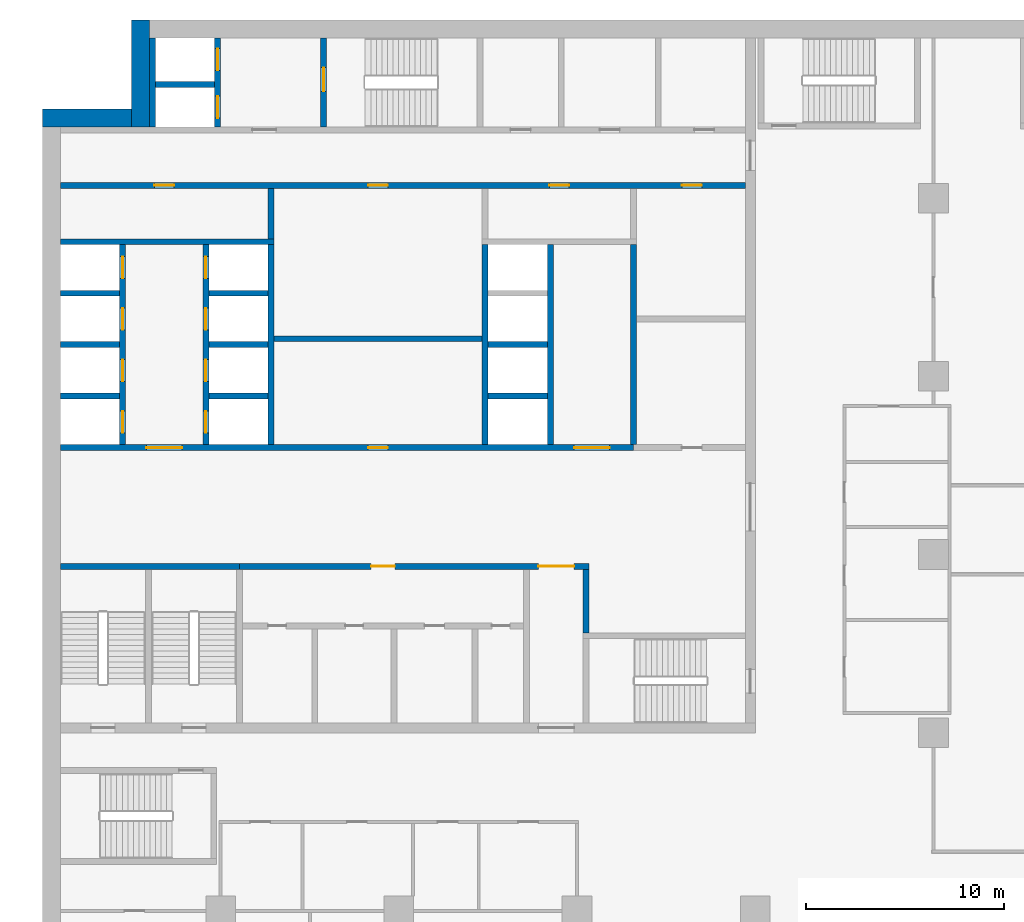
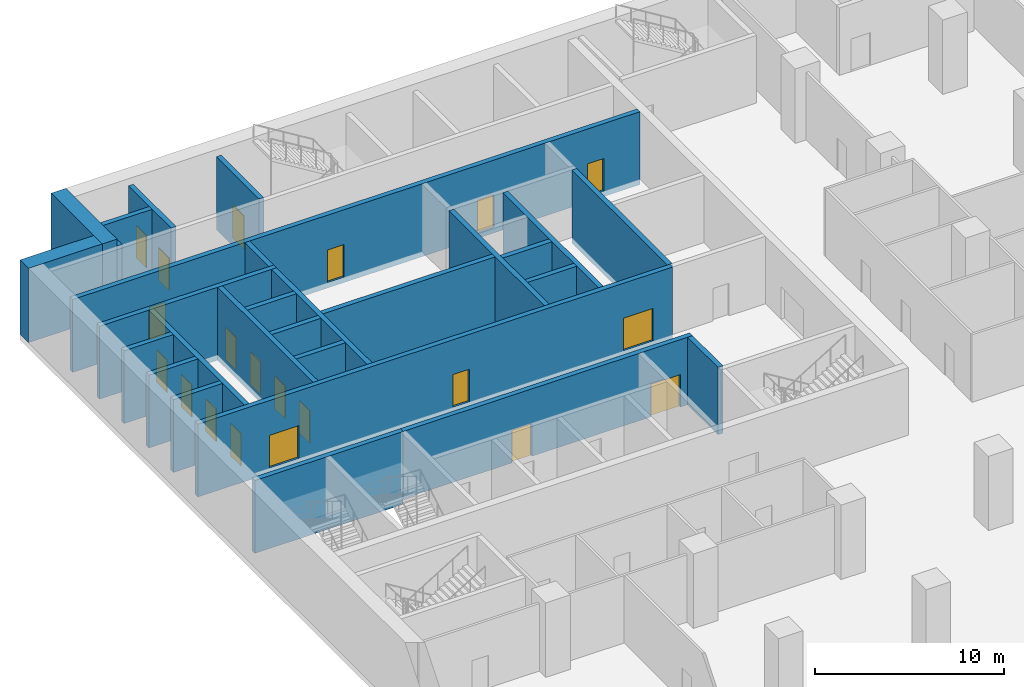
# One storey, part 16 of 32: 28 walls, 20 doors, 20 openings.
"""IFC4 building model written with IfcOpenShell, lengths in metres."""

from ifc_helpers import new_model, si_unit, direction, frame, frame_2d, origin, place, context, subcontext, project, spatial, rectangle, extrude, material, layer, layer_set, type_object, element, fill, save


model = new_model("IFC4")

# Units and contexts
model_context = context("Model", 3, precision=1e-05, world=origin(), true_north=direction((0.0, 1.0)))
body_context = subcontext(model_context, "Body", "Model", "MODEL_VIEW")
ifc_project = project(units=[si_unit("LENGTHUNIT", "METRE"), si_unit("AREAUNIT", "SQUARE_METRE"), si_unit("VOLUMEUNIT", "CUBIC_METRE"), si_unit("PLANEANGLEUNIT", "RADIAN"), si_unit("MASSUNIT", "GRAM", prefix="KILO")], contexts=[model_context])

# Site, building, storey
site_placement = place(None, origin())
site = spatial("IfcSite", under=ifc_project, at=site_placement, CompositionType="ELEMENT")
building_placement = place(site_placement, origin())
building = spatial("IfcBuilding", under=site, at=building_placement, Name="Hunhe Ridgeline Campus", CompositionType="ELEMENT")
storey_placement = place(building_placement, frame((0.0, 0.0, 26.39990234375)))
storey = spatial("IfcBuildingStorey", under=building, at=storey_placement, Name="L05", CompositionType="ELEMENT", Elevation=26.39990234375)

# Wall, openings, doors
ifc_material_1 = material(Name="Masonry concrete blockwork", Category="masonry")
ifc_layer_1 = layer(ifc_material_1, 0.300048828125)
ifc_layer_set_1 = layer_set([ifc_layer_1], Name="Core room partition 300 concrete block")
wall_type_1 = type_object("IfcWallType", Name="Core room partition 300 concrete block", PredefinedType="PARTITIONING", material=ifc_layer_set_1)
wall_1_placement = place(storey_placement, frame((9.949951171875, 71.39990234375, 0.0), z_axis=(0.0, 0.0, 1.0), x_axis=(1.0, 0.0, 0.0)))
wall_1 = element("IfcWall", 1, at=wall_1_placement, inside=storey, type_object=wall_type_1, Name="L05 core partition 13", PredefinedType="PARTITIONING", context=body_context, shape_type="SweptSolid", body=[
    extrude(rectangle(XDim=17.650146484375, YDim=0.300048828125, at=frame_2d((8.8251953125, 0.0))), origin(), (0.0, 0.0, 1.0), 4.35009765625),
])
opening_1_placement = place(wall_1_placement, frame((15.10009765625, 0.0, 0.0)))
opening_1 = element("IfcOpeningElement", 2, at=opening_1_placement, cuts=wall_1, Name="Opening CD7", PredefinedType="OPENING", context=body_context, shape_type="SweptSolid", body=[
    extrude(rectangle(XDim=1.800048828125, YDim=2.10009765625, at=frame_2d((0.89990234375, 1.050048828125))), frame((0.0, 0.14990234375, 0.0), z_axis=(0.0, -1.0, 0.0), x_axis=(1.0, 0.0, 0.0)), (0.0, 0.0, 1.0), 0.300048828125),
])
opening_2_placement = place(wall_1_placement, frame((6.64990234375, 0.0, 0.0)))
opening_2 = element("IfcOpeningElement", 3, at=opening_2_placement, cuts=wall_1, Name="Opening CD37", PredefinedType="OPENING", context=body_context, shape_type="SweptSolid", body=[
    extrude(rectangle(XDim=1.199951171875, YDim=2.10009765625, at=frame_2d((0.60009765625, 1.050048828125))), frame((0.0, 0.14990234375, 0.0), z_axis=(0.0, -1.0, 0.0), x_axis=(1.0, 0.0, 0.0)), (0.0, 0.0, 1.0), 0.300048828125),
])
ifc_material_2 = material(Name="Anodised aluminium and glass", Category="aluminium")
door_type_1 = type_object("IfcDoorType", Name="Glazed double door 1800x2100", OperationType="DOUBLE_DOOR_SINGLE_SWING", PredefinedType="DOOR", material=ifc_material_2)
door_1_placement = place(opening_1_placement, origin())
door_1 = element("IfcDoor", 4, at=door_1_placement, inside=storey, type_object=door_type_1, Name="L05 door VEST-HALL", OperationType="DOUBLE_DOOR_SINGLE_SWING", OverallHeight=2.10009765625, OverallWidth=1.800048828125, PredefinedType="DOOR", context=body_context, shape_type="SweptSolid", body=[
    extrude(rectangle(XDim=1.800048828125, YDim=2.10009765625, at=frame_2d((0.89990234375, 1.050048828125))), frame((0.0, 0.02490234375, 0.0), z_axis=(0.0, -1.0, 0.0), x_axis=(1.0, 0.0, 0.0)), (0.0, 0.0, 1.0), 0.050048828125),
])
fill(opening_1, door_1)
ifc_material_3 = material(Name="Solid core timber door leaf", Category="wood")
door_type_2 = type_object("IfcDoorType", Name="Timber door 1200x2100", OperationType="SINGLE_SWING_LEFT", PredefinedType="DOOR", material=ifc_material_3)
door_2_placement = place(opening_2_placement, origin())
door_2 = element("IfcDoor", 5, at=door_2_placement, inside=storey, type_object=door_type_2, Name="L05 door WCL1-HALL", OperationType="SINGLE_SWING_LEFT", OverallHeight=2.10009765625, OverallWidth=1.199951171875, PredefinedType="DOOR", context=body_context, shape_type="SweptSolid", body=[
    extrude(rectangle(XDim=1.199951171875, YDim=2.10009765625, at=frame_2d((0.60009765625, 1.050048828125))), frame((0.0, 0.02490234375, 0.0), z_axis=(0.0, -1.0, 0.0), x_axis=(1.0, 0.0, 0.0)), (0.0, 0.0, 1.0), 0.050048828125),
])
fill(opening_2, door_2)

# Walls
wall_2_placement = place(storey_placement, frame((11.699951171875, 82.89990234375, 0.0), z_axis=(0.0, 0.0, 1.0), x_axis=(1.0, 0.0, 0.0)))
element("IfcWall", 6, at=wall_2_placement, inside=storey, type_object=wall_type_1, Name="L05 core partition 22", PredefinedType="PARTITIONING", context=body_context, shape_type="SweptSolid", body=[
    extrude(rectangle(XDim=10.5, YDim=0.300048828125, at=frame_2d((5.25, 0.0))), origin(), (0.0, 0.0, 1.0), 4.35009765625),
])
wall_3_placement = place(storey_placement, frame((11.550048828125, 87.949951171875, 0.0), z_axis=(0.0, 0.0, 1.0), x_axis=(0.0, 1.0, 0.0)))
element("IfcWall", 7, at=wall_3_placement, inside=storey, type_object=wall_type_1, Name="L05 core partition 45", PredefinedType="PARTITIONING", context=body_context, shape_type="SweptSolid", body=[
    extrude(rectangle(XDim=2.550048828125, YDim=0.300048828125, at=frame_2d((1.27490234375, 0.0))), origin(), (0.0, 0.0, 1.0), 4.35009765625),
])
wall_4_placement = place(storey_placement, frame((27.449951171875, 68.050048828125, 0.0), z_axis=(0.0, 0.0, 1.0), x_axis=(0.0, 1.0, 0.0)))
element("IfcWall", 8, at=wall_4_placement, inside=storey, type_object=wall_type_1, Name="L05 core partition 59", PredefinedType="PARTITIONING", context=body_context, shape_type="SweptSolid", body=[
    extrude(rectangle(XDim=3.199951171875, YDim=0.300048828125, at=frame_2d((1.60009765625, 0.0))), origin(), (0.0, 0.0, 1.0), 4.35009765625),
])

# Wall, openings, doors
ifc_material_4 = material(Name="Concrete C80", Category="concrete")
ifc_layer_2 = layer(ifc_material_4, 0.300048828125)
ifc_layer_set_2 = layer_set([ifc_layer_2], Name="Lobby wall 300 reinforced concrete C80")
wall_type_2 = type_object("IfcWallType", Name="Lobby wall 300 reinforced concrete C80", PredefinedType="SOLIDWALL", material=ifc_layer_set_2)
wall_5_placement = place(storey_placement, frame((0.89990234375, 90.64990234375, -0.349853515625), z_axis=(0.0, 0.0, 1.0), x_axis=(1.0, 0.0, 0.0)))
wall_5 = element("IfcWall", 9, at=wall_5_placement, inside=storey, type_object=wall_type_2, Name="L05 core wall 29", PredefinedType="SOLIDWALL", context=body_context, shape_type="SweptSolid", body=[
    extrude(rectangle(XDim=34.60009765625, YDim=0.300048828125, at=frame_2d((17.300048828125, 0.0))), origin(), (0.0, 0.0, 1.0), 4.699951171875),
])
opening_3_placement = place(wall_5_placement, frame((4.75, 0.0, 0.35009765625)))
opening_3 = element("IfcOpeningElement", 10, at=opening_3_placement, cuts=wall_5, Name="Opening CD26", PredefinedType="OPENING", context=body_context, shape_type="SweptSolid", body=[
    extrude(rectangle(XDim=1.0, YDim=2.10009765625, at=frame_2d((0.5, 1.050048828125))), frame((0.0, 0.14990234375, 0.0), z_axis=(0.0, -1.0, 0.0), x_axis=(1.0, 0.0, 0.0)), (0.0, 0.0, 1.0), 0.300048828125),
])
opening_4_placement = place(wall_5_placement, frame((24.699951171875, 0.0, 0.35009765625)))
opening_4 = element("IfcOpeningElement", 11, at=opening_4_placement, cuts=wall_5, Name="Opening CD27", PredefinedType="OPENING", context=body_context, shape_type="SweptSolid", body=[
    extrude(rectangle(XDim=1.0, YDim=2.10009765625, at=frame_2d((0.5, 1.050048828125))), frame((0.0, 0.14990234375, 0.0), z_axis=(0.0, -1.0, 0.0), x_axis=(1.0, 0.0, 0.0)), (0.0, 0.0, 1.0), 0.300048828125),
])
opening_5_placement = place(wall_5_placement, frame((15.550048828125, 0.0, 0.35009765625)))
opening_5 = element("IfcOpeningElement", 12, at=opening_5_placement, cuts=wall_5, Name="Opening CD29", PredefinedType="OPENING", context=body_context, shape_type="SweptSolid", body=[
    extrude(rectangle(XDim=1.0, YDim=2.10009765625, at=frame_2d((0.5, 1.050048828125))), frame((0.0, 0.14990234375, 0.0), z_axis=(0.0, -1.0, 0.0), x_axis=(1.0, 0.0, 0.0)), (0.0, 0.0, 1.0), 0.300048828125),
])
opening_6_placement = place(wall_5_placement, frame((31.39990234375, 0.0, 0.35009765625)))
opening_6 = element("IfcOpeningElement", 13, at=opening_6_placement, cuts=wall_5, Name="Opening CD33", PredefinedType="OPENING", context=body_context, shape_type="SweptSolid", body=[
    extrude(rectangle(XDim=1.0, YDim=2.10009765625, at=frame_2d((0.5, 1.050048828125))), frame((0.0, 0.14990234375, 0.0), z_axis=(0.0, -1.0, 0.0), x_axis=(1.0, 0.0, 0.0)), (0.0, 0.0, 1.0), 0.300048828125),
])
door_type_3 = type_object("IfcDoorType", Name="Timber door 1000x2100", OperationType="SINGLE_SWING_LEFT", PredefinedType="DOOR", material=ifc_material_3)
door_3_placement = place(opening_3_placement, frame((1.0, 0.0, 0.0), z_axis=(0.0, 0.0, 1.0), x_axis=(-1.0, 0.0, 0.0)))
door_3 = element("IfcDoor", 14, at=door_3_placement, inside=storey, type_object=door_type_3, Name="L05 door NR-0", OperationType="SINGLE_SWING_RIGHT", OverallHeight=2.10009765625, OverallWidth=1.0, PredefinedType="DOOR", context=body_context, shape_type="SweptSolid", body=[
    extrude(rectangle(XDim=1.0, YDim=2.10009765625, at=frame_2d((0.5, 1.050048828125))), frame((0.0, 0.02490234375, 0.0), z_axis=(0.0, -1.0, 0.0), x_axis=(1.0, 0.0, 0.0)), (0.0, 0.0, 1.0), 0.050048828125),
])
fill(opening_3, door_3)
door_4_placement = place(opening_4_placement, frame((1.0, 0.0, 0.0), z_axis=(0.0, 0.0, 1.0), x_axis=(-1.0, 0.0, 0.0)))
door_4 = element("IfcDoor", 15, at=door_4_placement, inside=storey, type_object=door_type_3, Name="L05 door NR-1", OperationType="SINGLE_SWING_LEFT", OverallHeight=2.10009765625, OverallWidth=1.0, PredefinedType="DOOR", context=body_context, shape_type="SweptSolid", body=[
    extrude(rectangle(XDim=1.0, YDim=2.10009765625, at=frame_2d((0.5, 1.050048828125))), frame((0.0, 0.02490234375, 0.0), z_axis=(0.0, -1.0, 0.0), x_axis=(1.0, 0.0, 0.0)), (0.0, 0.0, 1.0), 0.050048828125),
])
fill(opening_4, door_4)
door_5_placement = place(opening_5_placement, frame((1.0, 0.0, 0.0), z_axis=(0.0, 0.0, 1.0), x_axis=(-1.0, 0.0, 0.0)))
door_5 = element("IfcDoor", 16, at=door_5_placement, inside=storey, type_object=door_type_3, Name="L05 door VD-HR1", OperationType="SINGLE_SWING_LEFT", OverallHeight=2.10009765625, OverallWidth=1.0, PredefinedType="DOOR", context=body_context, shape_type="SweptSolid", body=[
    extrude(rectangle(XDim=1.0, YDim=2.10009765625, at=frame_2d((0.5, 1.050048828125))), frame((0.0, 0.02490234375, 0.0), z_axis=(0.0, -1.0, 0.0), x_axis=(1.0, 0.0, 0.0)), (0.0, 0.0, 1.0), 0.050048828125),
])
fill(opening_5, door_5)
door_6_placement = place(opening_6_placement, frame((1.0, 0.0, 0.0), z_axis=(0.0, 0.0, 1.0), x_axis=(-1.0, 0.0, 0.0)))
door_6 = element("IfcDoor", 17, at=door_6_placement, inside=storey, type_object=door_type_3, Name="L05 door ES1", OperationType="SINGLE_SWING_RIGHT", OverallHeight=2.10009765625, OverallWidth=1.0, PredefinedType="DOOR", context=body_context, shape_type="SweptSolid", body=[
    extrude(rectangle(XDim=1.0, YDim=2.10009765625, at=frame_2d((0.5, 1.050048828125))), frame((0.0, 0.02490234375, 0.0), z_axis=(0.0, -1.0, 0.0), x_axis=(1.0, 0.0, 0.0)), (0.0, 0.0, 1.0), 0.050048828125),
])
fill(opening_6, door_6)

# Wall
wall_6_placement = place(storey_placement, frame((29.85009765625, 77.550048828125, -0.349853515625), z_axis=(0.0, 0.0, 1.0), x_axis=(0.0, 1.0, 0.0)))
element("IfcWall", 18, at=wall_6_placement, inside=storey, type_object=wall_type_2, Name="L05 core wall 60", PredefinedType="SOLIDWALL", context=body_context, shape_type="SweptSolid", body=[
    extrude(rectangle(XDim=10.099853515625, YDim=0.300048828125, at=frame_2d((5.0498046875, 0.0))), origin(), (0.0, 0.0, 1.0), 4.699951171875),
])

# Wall, openings, doors
ifc_layer_3 = layer(ifc_material_4, 0.300048828125)
ifc_layer_set_3 = layer_set([ifc_layer_3], Name="Shaft wall 300 reinforced concrete C80")
wall_type_3 = type_object("IfcWallType", Name="Shaft wall 300 reinforced concrete C80", PredefinedType="SOLIDWALL", material=ifc_layer_set_3)
wall_7_placement = place(storey_placement, frame((0.89990234375, 77.39990234375, -0.349853515625), z_axis=(0.0, 0.0, 1.0), x_axis=(1.0, 0.0, 0.0)))
wall_7 = element("IfcWall", 19, at=wall_7_placement, inside=storey, type_object=wall_type_3, Name="L05 core wall 14", PredefinedType="SOLIDWALL", context=body_context, shape_type="SweptSolid", body=[
    extrude(rectangle(XDim=28.9501953125, YDim=0.300048828125, at=frame_2d((14.47509765625, 0.0))), origin(), (0.0, 0.0, 1.0), 4.699951171875),
])
opening_7_placement = place(wall_7_placement, frame((4.35009765625, 0.0, 0.35009765625)))
opening_7 = element("IfcOpeningElement", 20, at=opening_7_placement, cuts=wall_7, Name="Opening CD1", PredefinedType="OPENING", context=body_context, shape_type="SweptSolid", body=[
    extrude(rectangle(XDim=1.800048828125, YDim=2.10009765625, at=frame_2d((0.89990234375, 1.050048828125))), frame((0.0, 0.14990234375, 0.0), z_axis=(0.0, -1.0, 0.0), x_axis=(1.0, 0.0, 0.0)), (0.0, 0.0, 1.0), 0.300048828125),
])
opening_8_placement = place(wall_7_placement, frame((25.949951171875, 0.0, 0.35009765625)))
opening_8 = element("IfcOpeningElement", 21, at=opening_8_placement, cuts=wall_7, Name="Opening CD2", PredefinedType="OPENING", context=body_context, shape_type="SweptSolid", body=[
    extrude(rectangle(XDim=1.800048828125, YDim=2.10009765625, at=frame_2d((0.89990234375, 1.050048828125))), frame((0.0, 0.14990234375, 0.0), z_axis=(0.0, -1.0, 0.0), x_axis=(1.0, 0.0, 0.0)), (0.0, 0.0, 1.0), 0.300048828125),
])
opening_9_placement = place(wall_7_placement, frame((15.550048828125, 0.0, 0.35009765625)))
opening_9 = element("IfcOpeningElement", 22, at=opening_9_placement, cuts=wall_7, Name="Opening CD28", PredefinedType="OPENING", context=body_context, shape_type="SweptSolid", body=[
    extrude(rectangle(XDim=1.0, YDim=2.10009765625, at=frame_2d((0.5, 1.050048828125))), frame((0.0, 0.14990234375, 0.0), z_axis=(0.0, -1.0, 0.0), x_axis=(1.0, 0.0, 0.0)), (0.0, 0.0, 1.0), 0.300048828125),
])
ifc_material_5 = material(Name="Hollow metal fire door leaf")
door_type_4 = type_object("IfcDoorType", Name="Lobby door 1800x2100 FD60", OperationType="SINGLE_SWING_LEFT", PredefinedType="DOOR", material=ifc_material_5)
door_7_placement = place(opening_7_placement, frame((1.800048828125, 0.0, 0.0), z_axis=(0.0, 0.0, 1.0), x_axis=(-1.0, 0.0, 0.0)))
door_7 = element("IfcDoor", 23, at=door_7_placement, inside=storey, type_object=door_type_4, Name="L05 door LOB-LR", OperationType="SINGLE_SWING_RIGHT", OverallHeight=2.10009765625, OverallWidth=1.800048828125, PredefinedType="DOOR", context=body_context, shape_type="SweptSolid", body=[
    extrude(rectangle(XDim=1.800048828125, YDim=2.10009765625, at=frame_2d((0.89990234375, 1.050048828125))), frame((0.0, 0.02490234375, 0.0), z_axis=(0.0, -1.0, 0.0), x_axis=(1.0, 0.0, 0.0)), (0.0, 0.0, 1.0), 0.050048828125),
])
fill(opening_7, door_7)
door_8_placement = place(opening_8_placement, frame((1.800048828125, 0.0, 0.0), z_axis=(0.0, 0.0, 1.0), x_axis=(-1.0, 0.0, 0.0)))
door_8 = element("IfcDoor", 24, at=door_8_placement, inside=storey, type_object=door_type_4, Name="L05 door LOB-SH", OperationType="SINGLE_SWING_LEFT", OverallHeight=2.10009765625, OverallWidth=1.800048828125, PredefinedType="DOOR", context=body_context, shape_type="SweptSolid", body=[
    extrude(rectangle(XDim=1.800048828125, YDim=2.10009765625, at=frame_2d((0.89990234375, 1.050048828125))), frame((0.0, 0.02490234375, 0.0), z_axis=(0.0, -1.0, 0.0), x_axis=(1.0, 0.0, 0.0)), (0.0, 0.0, 1.0), 0.050048828125),
])
fill(opening_8, door_8)
door_9_placement = place(opening_9_placement, origin())
door_9 = element("IfcDoor", 25, at=door_9_placement, inside=storey, type_object=door_type_3, Name="L05 door VD-HR0", OperationType="SINGLE_SWING_LEFT", OverallHeight=2.10009765625, OverallWidth=1.0, PredefinedType="DOOR", context=body_context, shape_type="SweptSolid", body=[
    extrude(rectangle(XDim=1.0, YDim=2.10009765625, at=frame_2d((0.5, 1.050048828125))), frame((0.0, 0.02490234375, 0.0), z_axis=(0.0, -1.0, 0.0), x_axis=(1.0, 0.0, 0.0)), (0.0, 0.0, 1.0), 0.050048828125),
])
fill(opening_9, door_9)

# Walls
for number, where, z_axis, x_axis, name in (
    (26, (0.89990234375, 80.0, -0.349853515625), (0.0, 0.0, 1.0), (1.0, 0.0, 0.0), "L05 core wall 16"),
    (27, (8.39990234375, 80.0, -0.349853515625), (0.0, 0.0, 1.0), (1.0, 0.0, 0.0), "L05 core wall 17"),
    (28, (22.5, 80.0, -0.349853515625), (0.0, 0.0, 1.0), (1.0, 0.0, 0.0), "L05 core wall 18"),
    (29, (0.89990234375, 82.60009765625, -0.349853515625), (0.0, 0.0, 1.0), (1.0, 0.0, 0.0), "L05 core wall 19"),
    (30, (8.39990234375, 82.60009765625, -0.349853515625), (0.0, 0.0, 1.0), (1.0, 0.0, 0.0), "L05 core wall 20"),
    (31, (22.5, 82.60009765625, -0.349853515625), (0.0, 0.0, 1.0), (1.0, 0.0, 0.0), "L05 core wall 21"),
    (32, (0.89990234375, 85.199951171875, -0.349853515625), (0.0, 0.0, 1.0), (1.0, 0.0, 0.0), "L05 core wall 24"),
    (33, (8.39990234375, 85.199951171875, -0.349853515625), (0.0, 0.0, 1.0), (1.0, 0.0, 0.0), "L05 core wall 25"),
):
    element("IfcWall", number, at=place(storey_placement, frame(where, z_axis=z_axis, x_axis=x_axis)), inside=storey, type_object=wall_type_3, Name=name, PredefinedType="SOLIDWALL", context=body_context, shape_type="SweptSolid", body=[
        extrude(rectangle(XDim=3.0, YDim=0.300048828125, at=frame_2d((1.5, 0.0))), origin(), (0.0, 0.0, 1.0), 4.699951171875),
    ])
wall_8_placement = place(storey_placement, frame((0.89990234375, 87.800048828125, -0.349853515625), z_axis=(0.0, 0.0, 1.0), x_axis=(1.0, 0.0, 0.0)))
element("IfcWall", 34, at=wall_8_placement, inside=storey, type_object=wall_type_3, Name="L05 core wall 27", PredefinedType="SOLIDWALL", context=body_context, shape_type="SweptSolid", body=[
    extrude(rectangle(XDim=10.800048828125, YDim=0.300048828125, at=frame_2d((5.39990234375, 0.0))), origin(), (0.0, 0.0, 1.0), 4.699951171875),
])
wall_9_placement = place(storey_placement, frame((5.699951171875, 95.75, -0.349853515625), z_axis=(0.0, 0.0, 1.0), x_axis=(1.0, 0.0, 0.0)))
element("IfcWall", 35, at=wall_9_placement, inside=storey, type_object=wall_type_3, Name="L05 core wall 35", PredefinedType="SOLIDWALL", context=body_context, shape_type="SweptSolid", body=[
    extrude(rectangle(XDim=3.0, YDim=0.300048828125, at=frame_2d((1.5, 0.0))), origin(), (0.0, 0.0, 1.0), 4.699951171875),
])

# Wall, openings, doors
wall_10_placement = place(storey_placement, frame((4.050048828125, 77.550048828125, -0.349853515625), z_axis=(0.0, 0.0, 1.0), x_axis=(0.0, 1.0, 0.0)))
wall_10 = element("IfcWall", 36, at=wall_10_placement, inside=storey, type_object=wall_type_3, Name="L05 core wall 36", PredefinedType="SOLIDWALL", context=body_context, shape_type="SweptSolid", body=[
    extrude(rectangle(XDim=10.099853515625, YDim=0.300048828125, at=frame_2d((5.0498046875, 0.0))), origin(), (0.0, 0.0, 1.0), 4.699951171875),
])
opening_10_placement = place(wall_10_placement, frame((0.60009765625, 0.0, 0.35009765625)))
opening_10 = element("IfcOpeningElement", 37, at=opening_10_placement, cuts=wall_10, Name="Opening LD-LR1", PredefinedType="OPENING", context=body_context, shape_type="SweptSolid", body=[
    extrude(rectangle(XDim=1.10009765625, YDim=2.10009765625, at=frame_2d((0.550048828125, 1.050048828125))), frame((0.0, 0.14990234375, 0.0), z_axis=(0.0, -1.0, 0.0), x_axis=(1.0, 0.0, 0.0)), (0.0, 0.0, 1.0), 0.300048828125),
])
opening_11_placement = place(wall_10_placement, frame((3.199951171875, 0.0, 0.35009765625)))
opening_11 = element("IfcOpeningElement", 38, at=opening_11_placement, cuts=wall_10, Name="Opening LD-LR2", PredefinedType="OPENING", context=body_context, shape_type="SweptSolid", body=[
    extrude(rectangle(XDim=1.10009765625, YDim=2.10009765625, at=frame_2d((0.550048828125, 1.050048828125))), frame((0.0, 0.14990234375, 0.0), z_axis=(0.0, -1.0, 0.0), x_axis=(1.0, 0.0, 0.0)), (0.0, 0.0, 1.0), 0.300048828125),
])
opening_12_placement = place(wall_10_placement, frame((5.800048828125, 0.0, 0.35009765625)))
opening_12 = element("IfcOpeningElement", 39, at=opening_12_placement, cuts=wall_10, Name="Opening LD-LR3", PredefinedType="OPENING", context=body_context, shape_type="SweptSolid", body=[
    extrude(rectangle(XDim=1.10009765625, YDim=2.10009765625, at=frame_2d((0.550048828125, 1.050048828125))), frame((0.0, 0.14990234375, 0.0), z_axis=(0.0, -1.0, 0.0), x_axis=(1.0, 0.0, 0.0)), (0.0, 0.0, 1.0), 0.300048828125),
])
opening_13_placement = place(wall_10_placement, frame((8.39990234375, 0.0, 0.35009765625)))
opening_13 = element("IfcOpeningElement", 40, at=opening_13_placement, cuts=wall_10, Name="Opening LD-LR4", PredefinedType="OPENING", context=body_context, shape_type="SweptSolid", body=[
    extrude(rectangle(XDim=1.10009765625, YDim=2.10009765625, at=frame_2d((0.550048828125, 1.050048828125))), frame((0.0, 0.14990234375, 0.0), z_axis=(0.0, -1.0, 0.0), x_axis=(1.0, 0.0, 0.0)), (0.0, 0.0, 1.0), 0.300048828125),
])
ifc_material_6 = material(Name="Stainless steel sliding leaves", Category="steel")
door_type_5 = type_object("IfcDoorType", Name="Landing door 1100x2100 FD120", OperationType="SLIDING_TO_LEFT", PredefinedType="DOOR", material=ifc_material_6)
door_10_placement = place(opening_10_placement, origin())
door_10 = element("IfcDoor", 41, at=door_10_placement, inside=storey, type_object=door_type_5, Name="L05 landing door LR1", OperationType="SLIDING_TO_RIGHT", OverallHeight=2.10009765625, OverallWidth=1.10009765625, PredefinedType="DOOR", context=body_context, shape_type="SweptSolid", body=[
    extrude(rectangle(XDim=1.10009765625, YDim=2.10009765625, at=frame_2d((0.550048828125, 1.050048828125))), frame((0.0, 0.02490234375, 0.0), z_axis=(0.0, -1.0, 0.0), x_axis=(1.0, 0.0, 0.0)), (0.0, 0.0, 1.0), 0.050048828125),
])
fill(opening_10, door_10)
door_11_placement = place(opening_11_placement, origin())
door_11 = element("IfcDoor", 42, at=door_11_placement, inside=storey, type_object=door_type_5, Name="L05 landing door LR2", OperationType="SLIDING_TO_LEFT", OverallHeight=2.10009765625, OverallWidth=1.10009765625, PredefinedType="DOOR", context=body_context, shape_type="SweptSolid", body=[
    extrude(rectangle(XDim=1.10009765625, YDim=2.10009765625, at=frame_2d((0.550048828125, 1.050048828125))), frame((0.0, 0.02490234375, 0.0), z_axis=(0.0, -1.0, 0.0), x_axis=(1.0, 0.0, 0.0)), (0.0, 0.0, 1.0), 0.050048828125),
])
fill(opening_11, door_11)
door_12_placement = place(opening_12_placement, origin())
door_12 = element("IfcDoor", 43, at=door_12_placement, inside=storey, type_object=door_type_5, Name="L05 landing door LR3", OperationType="SLIDING_TO_RIGHT", OverallHeight=2.10009765625, OverallWidth=1.10009765625, PredefinedType="DOOR", context=body_context, shape_type="SweptSolid", body=[
    extrude(rectangle(XDim=1.10009765625, YDim=2.10009765625, at=frame_2d((0.550048828125, 1.050048828125))), frame((0.0, 0.02490234375, 0.0), z_axis=(0.0, -1.0, 0.0), x_axis=(1.0, 0.0, 0.0)), (0.0, 0.0, 1.0), 0.050048828125),
])
fill(opening_12, door_12)
door_13_placement = place(opening_13_placement, origin())
door_13 = element("IfcDoor", 44, at=door_13_placement, inside=storey, type_object=door_type_5, Name="L05 landing door LR4", OperationType="SLIDING_TO_LEFT", OverallHeight=2.10009765625, OverallWidth=1.10009765625, PredefinedType="DOOR", context=body_context, shape_type="SweptSolid", body=[
    extrude(rectangle(XDim=1.10009765625, YDim=2.10009765625, at=frame_2d((0.550048828125, 1.050048828125))), frame((0.0, 0.02490234375, 0.0), z_axis=(0.0, -1.0, 0.0), x_axis=(1.0, 0.0, 0.0)), (0.0, 0.0, 1.0), 0.050048828125),
])
fill(opening_13, door_13)

# Wall
wall_11_placement = place(storey_placement, frame((5.550048828125, 93.60009765625, -0.349853515625), z_axis=(0.0, 0.0, 1.0), x_axis=(0.0, 1.0, 0.0)))
element("IfcWall", 45, at=wall_11_placement, inside=storey, type_object=wall_type_3, Name="L05 core wall 38", PredefinedType="SOLIDWALL", context=body_context, shape_type="SweptSolid", body=[
    extrude(rectangle(XDim=4.5, YDim=0.300048828125, at=frame_2d((2.25, 0.0))), origin(), (0.0, 0.0, 1.0), 4.699951171875),
])

# Wall, openings, doors
wall_12_placement = place(storey_placement, frame((8.25, 77.550048828125, -0.349853515625), z_axis=(0.0, 0.0, 1.0), x_axis=(0.0, 1.0, 0.0)))
wall_12 = element("IfcWall", 46, at=wall_12_placement, inside=storey, type_object=wall_type_3, Name="L05 core wall 39", PredefinedType="SOLIDWALL", context=body_context, shape_type="SweptSolid", body=[
    extrude(rectangle(XDim=10.099853515625, YDim=0.300048828125, at=frame_2d((5.0498046875, 0.0))), origin(), (0.0, 0.0, 1.0), 4.699951171875),
])
opening_14_placement = place(wall_12_placement, frame((0.60009765625, 0.0, 0.35009765625)))
opening_14 = element("IfcOpeningElement", 47, at=opening_14_placement, cuts=wall_12, Name="Opening LD-LR5", PredefinedType="OPENING", context=body_context, shape_type="SweptSolid", body=[
    extrude(rectangle(XDim=1.10009765625, YDim=2.10009765625, at=frame_2d((0.550048828125, 1.050048828125))), frame((0.0, 0.14990234375, 0.0), z_axis=(0.0, -1.0, 0.0), x_axis=(1.0, 0.0, 0.0)), (0.0, 0.0, 1.0), 0.300048828125),
])
opening_15_placement = place(wall_12_placement, frame((3.199951171875, 0.0, 0.35009765625)))
opening_15 = element("IfcOpeningElement", 48, at=opening_15_placement, cuts=wall_12, Name="Opening LD-LR6", PredefinedType="OPENING", context=body_context, shape_type="SweptSolid", body=[
    extrude(rectangle(XDim=1.10009765625, YDim=2.10009765625, at=frame_2d((0.550048828125, 1.050048828125))), frame((0.0, 0.14990234375, 0.0), z_axis=(0.0, -1.0, 0.0), x_axis=(1.0, 0.0, 0.0)), (0.0, 0.0, 1.0), 0.300048828125),
])
opening_16_placement = place(wall_12_placement, frame((5.800048828125, 0.0, 0.35009765625)))
opening_16 = element("IfcOpeningElement", 49, at=opening_16_placement, cuts=wall_12, Name="Opening LD-LR7", PredefinedType="OPENING", context=body_context, shape_type="SweptSolid", body=[
    extrude(rectangle(XDim=1.10009765625, YDim=2.10009765625, at=frame_2d((0.550048828125, 1.050048828125))), frame((0.0, 0.14990234375, 0.0), z_axis=(0.0, -1.0, 0.0), x_axis=(1.0, 0.0, 0.0)), (0.0, 0.0, 1.0), 0.300048828125),
])
opening_17_placement = place(wall_12_placement, frame((8.39990234375, 0.0, 0.35009765625)))
opening_17 = element("IfcOpeningElement", 50, at=opening_17_placement, cuts=wall_12, Name="Opening LD-LR8", PredefinedType="OPENING", context=body_context, shape_type="SweptSolid", body=[
    extrude(rectangle(XDim=1.10009765625, YDim=2.10009765625, at=frame_2d((0.550048828125, 1.050048828125))), frame((0.0, 0.14990234375, 0.0), z_axis=(0.0, -1.0, 0.0), x_axis=(1.0, 0.0, 0.0)), (0.0, 0.0, 1.0), 0.300048828125),
])
door_14_placement = place(opening_14_placement, origin())
door_14 = element("IfcDoor", 51, at=door_14_placement, inside=storey, type_object=door_type_5, Name="L05 landing door LR5", OperationType="SLIDING_TO_RIGHT", OverallHeight=2.10009765625, OverallWidth=1.10009765625, PredefinedType="DOOR", context=body_context, shape_type="SweptSolid", body=[
    extrude(rectangle(XDim=1.10009765625, YDim=2.10009765625, at=frame_2d((0.550048828125, 1.050048828125))), frame((0.0, 0.02490234375, 0.0), z_axis=(0.0, -1.0, 0.0), x_axis=(1.0, 0.0, 0.0)), (0.0, 0.0, 1.0), 0.050048828125),
])
fill(opening_14, door_14)
door_15_placement = place(opening_15_placement, origin())
door_15 = element("IfcDoor", 52, at=door_15_placement, inside=storey, type_object=door_type_5, Name="L05 landing door LR6", OperationType="SLIDING_TO_LEFT", OverallHeight=2.10009765625, OverallWidth=1.10009765625, PredefinedType="DOOR", context=body_context, shape_type="SweptSolid", body=[
    extrude(rectangle(XDim=1.10009765625, YDim=2.10009765625, at=frame_2d((0.550048828125, 1.050048828125))), frame((0.0, 0.02490234375, 0.0), z_axis=(0.0, -1.0, 0.0), x_axis=(1.0, 0.0, 0.0)), (0.0, 0.0, 1.0), 0.050048828125),
])
fill(opening_15, door_15)
door_16_placement = place(opening_16_placement, origin())
door_16 = element("IfcDoor", 53, at=door_16_placement, inside=storey, type_object=door_type_5, Name="L05 landing door LR7", OperationType="SLIDING_TO_RIGHT", OverallHeight=2.10009765625, OverallWidth=1.10009765625, PredefinedType="DOOR", context=body_context, shape_type="SweptSolid", body=[
    extrude(rectangle(XDim=1.10009765625, YDim=2.10009765625, at=frame_2d((0.550048828125, 1.050048828125))), frame((0.0, 0.02490234375, 0.0), z_axis=(0.0, -1.0, 0.0), x_axis=(1.0, 0.0, 0.0)), (0.0, 0.0, 1.0), 0.050048828125),
])
fill(opening_16, door_16)
door_17_placement = place(opening_17_placement, origin())
door_17 = element("IfcDoor", 54, at=door_17_placement, inside=storey, type_object=door_type_5, Name="L05 landing door LR8", OperationType="SLIDING_TO_LEFT", OverallHeight=2.10009765625, OverallWidth=1.10009765625, PredefinedType="DOOR", context=body_context, shape_type="SweptSolid", body=[
    extrude(rectangle(XDim=1.10009765625, YDim=2.10009765625, at=frame_2d((0.550048828125, 1.050048828125))), frame((0.0, 0.02490234375, 0.0), z_axis=(0.0, -1.0, 0.0), x_axis=(1.0, 0.0, 0.0)), (0.0, 0.0, 1.0), 0.050048828125),
])
fill(opening_17, door_17)

wall_13_placement = place(storey_placement, frame((8.85009765625, 93.60009765625, -0.349853515625), z_axis=(0.0, 0.0, 1.0), x_axis=(0.0, 1.0, 0.0)))
wall_13 = element("IfcWall", 55, at=wall_13_placement, inside=storey, type_object=wall_type_3, Name="L05 core wall 42", PredefinedType="SOLIDWALL", context=body_context, shape_type="SweptSolid", body=[
    extrude(rectangle(XDim=4.5, YDim=0.300048828125, at=frame_2d((2.25, 0.0))), origin(), (0.0, 0.0, 1.0), 4.699951171875),
])
opening_18_placement = place(wall_13_placement, frame((0.449951171875, 0.0, 0.35009765625)))
opening_18 = element("IfcOpeningElement", 56, at=opening_18_placement, cuts=wall_13, Name="Opening LD-FF1", PredefinedType="OPENING", context=body_context, shape_type="SweptSolid", body=[
    extrude(rectangle(XDim=1.10009765625, YDim=2.10009765625, at=frame_2d((0.550048828125, 1.050048828125))), frame((0.0, 0.14990234375, 0.0), z_axis=(0.0, -1.0, 0.0), x_axis=(1.0, 0.0, 0.0)), (0.0, 0.0, 1.0), 0.300048828125),
])
opening_19_placement = place(wall_13_placement, frame((2.85009765625, 0.0, 0.35009765625)))
opening_19 = element("IfcOpeningElement", 57, at=opening_19_placement, cuts=wall_13, Name="Opening LD-FF2", PredefinedType="OPENING", context=body_context, shape_type="SweptSolid", body=[
    extrude(rectangle(XDim=1.10009765625, YDim=2.10009765625, at=frame_2d((0.550048828125, 1.050048828125))), frame((0.0, 0.14990234375, 0.0), z_axis=(0.0, -1.0, 0.0), x_axis=(1.0, 0.0, 0.0)), (0.0, 0.0, 1.0), 0.300048828125),
])
door_18_placement = place(opening_18_placement, origin())
door_18 = element("IfcDoor", 58, at=door_18_placement, inside=storey, type_object=door_type_5, Name="L05 landing door FF1", OperationType="SLIDING_TO_RIGHT", OverallHeight=2.10009765625, OverallWidth=1.10009765625, PredefinedType="DOOR", context=body_context, shape_type="SweptSolid", body=[
    extrude(rectangle(XDim=1.10009765625, YDim=2.10009765625, at=frame_2d((0.550048828125, 1.050048828125))), frame((0.0, 0.02490234375, 0.0), z_axis=(0.0, -1.0, 0.0), x_axis=(1.0, 0.0, 0.0)), (0.0, 0.0, 1.0), 0.050048828125),
])
fill(opening_18, door_18)
door_19_placement = place(opening_19_placement, origin())
door_19 = element("IfcDoor", 59, at=door_19_placement, inside=storey, type_object=door_type_5, Name="L05 landing door FF2", OperationType="SLIDING_TO_LEFT", OverallHeight=2.10009765625, OverallWidth=1.10009765625, PredefinedType="DOOR", context=body_context, shape_type="SweptSolid", body=[
    extrude(rectangle(XDim=1.10009765625, YDim=2.10009765625, at=frame_2d((0.550048828125, 1.050048828125))), frame((0.0, 0.02490234375, 0.0), z_axis=(0.0, -1.0, 0.0), x_axis=(1.0, 0.0, 0.0)), (0.0, 0.0, 1.0), 0.050048828125),
])
fill(opening_19, door_19)

# Walls
for number, where, z_axis, x_axis, name in (
    (60, (11.550048828125, 77.550048828125, -0.349853515625), (0.0, 0.0, 1.0), (0.0, 1.0, 0.0), "L05 core wall 44"),
    (61, (22.35009765625, 77.550048828125, -0.349853515625), (0.0, 0.0, 1.0), (0.0, 1.0, 0.0), "L05 core wall 52"),
    (62, (25.64990234375, 77.550048828125, -0.349853515625), (0.0, 0.0, 1.0), (0.0, 1.0, 0.0), "L05 core wall 56"),
):
    element("IfcWall", number, at=place(storey_placement, frame(where, z_axis=z_axis, x_axis=x_axis)), inside=storey, type_object=wall_type_3, Name=name, PredefinedType="SOLIDWALL", context=body_context, shape_type="SweptSolid", body=[
        extrude(rectangle(XDim=10.099853515625, YDim=0.300048828125, at=frame_2d((5.0498046875, 0.0))), origin(), (0.0, 0.0, 1.0), 4.699951171875),
    ])
ifc_layer_4 = layer(ifc_material_4, 0.89990234375)
ifc_layer_set_4 = layer_set([ifc_layer_4], Name="Spine wall 900 Concrete C80")
wall_type_4 = type_object("IfcWallType", Name="Spine wall 900 Concrete C80", PredefinedType="SHEAR", material=ifc_layer_set_4)
for number, where, z_axis, x_axis, name in (
    (63, (4.949951171875, 99.0, 0.0), (0.0, 0.0, 1.0), (0.0, -1.0, 0.0), "Spine wall SW1-5 L05"),
    (64, (5.400146484375, 94.050048828125, 0.0), (0.0, 0.0, 1.0), (-1.0, 0.0, 0.0), "Spine wall SW1-6 L05"),
):
    element("IfcWall", number, at=place(storey_placement, frame(where, z_axis=z_axis, x_axis=x_axis)), inside=storey, type_object=wall_type_4, Name=name, PredefinedType="SHEAR", context=body_context, shape_type="SweptSolid", body=[
        extrude(rectangle(XDim=5.400146484375, YDim=0.89990234375, at=frame_2d((2.7001953125, 0.0))), origin(), (0.0, 0.0, 1.0), 4.800048828125),
    ])
ifc_layer_5 = layer(ifc_material_4, 0.300048828125)
ifc_layer_set_5 = layer_set([ifc_layer_5], Name="Stair wall 300 reinforced concrete C80")
wall_type_5 = type_object("IfcWallType", Name="Stair wall 300 reinforced concrete C80", PredefinedType="SOLIDWALL", material=ifc_layer_set_5)
wall_14_placement = place(storey_placement, frame((0.89990234375, 71.39990234375, -0.349853515625), z_axis=(0.0, 0.0, 1.0), x_axis=(1.0, 0.0, 0.0)))
element("IfcWall", 65, at=wall_14_placement, inside=storey, type_object=wall_type_5, Name="L05 core wall 12", PredefinedType="SOLIDWALL", context=body_context, shape_type="SweptSolid", body=[
    extrude(rectangle(XDim=9.050048828125, YDim=0.300048828125, at=frame_2d((4.52490234375, 0.0))), origin(), (0.0, 0.0, 1.0), 4.699951171875),
])

# Wall, opening, door
wall_15_placement = place(storey_placement, frame((14.199951171875, 93.60009765625, -0.349853515625), z_axis=(0.0, 0.0, 1.0), x_axis=(0.0, 1.0, 0.0)))
wall_15 = element("IfcWall", 66, at=wall_15_placement, inside=storey, type_object=wall_type_5, Name="L05 core wall 47", PredefinedType="SOLIDWALL", context=body_context, shape_type="SweptSolid", body=[
    extrude(rectangle(XDim=4.5, YDim=0.300048828125, at=frame_2d((2.25, 0.0))), origin(), (0.0, 0.0, 1.0), 4.699951171875),
])
opening_20_placement = place(wall_15_placement, frame((1.800048828125, 0.0, 0.35009765625)))
opening_20 = element("IfcOpeningElement", 67, at=opening_20_placement, cuts=wall_15, Name="Opening CD16", PredefinedType="OPENING", context=body_context, shape_type="SweptSolid", body=[
    extrude(rectangle(XDim=1.199951171875, YDim=2.10009765625, at=frame_2d((0.60009765625, 1.050048828125))), frame((0.0, 0.14990234375, 0.0), z_axis=(0.0, -1.0, 0.0), x_axis=(1.0, 0.0, 0.0)), (0.0, 0.0, 1.0), 0.300048828125),
])
door_type_6 = type_object("IfcDoorType", Name="Stair door 1200x2100 FD60", OperationType="SINGLE_SWING_LEFT", PredefinedType="DOOR", material=ifc_material_5)
door_20_placement = place(opening_20_placement, origin())
door_20 = element("IfcDoor", 68, at=door_20_placement, inside=storey, type_object=door_type_6, Name="L05 door S1-FF", OperationType="SINGLE_SWING_LEFT", OverallHeight=2.10009765625, OverallWidth=1.199951171875, PredefinedType="DOOR", context=body_context, shape_type="SweptSolid", body=[
    extrude(rectangle(XDim=1.199951171875, YDim=2.10009765625, at=frame_2d((0.60009765625, 1.050048828125))), frame((0.0, 0.02490234375, 0.0), z_axis=(0.0, -1.0, 0.0), x_axis=(1.0, 0.0, 0.0)), (0.0, 0.0, 1.0), 0.050048828125),
])
fill(opening_20, door_20)

save(model, "model.ifc")
